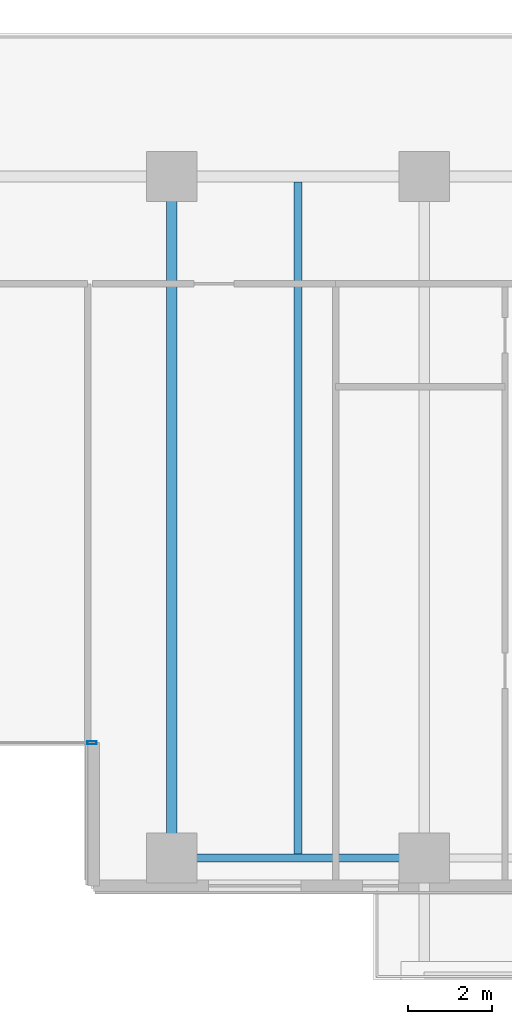
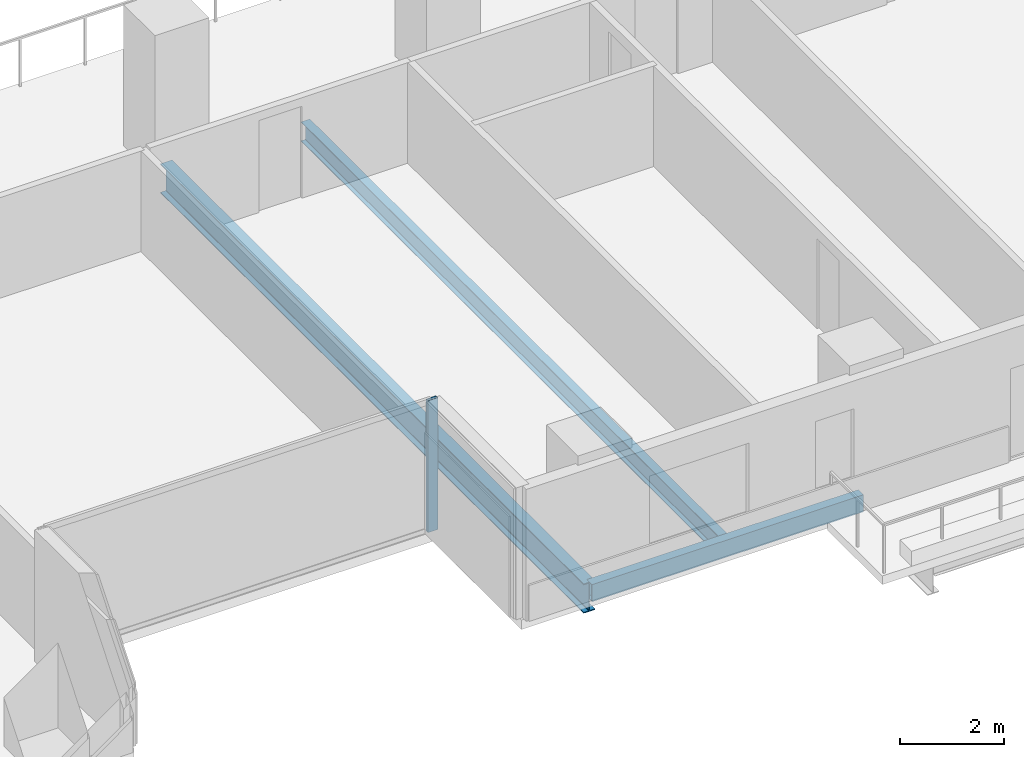
# One storey, part 4 of 26: 3 beams, 1 member, 1 element without a shape of its own.
"""IFC4 building model written with IfcOpenShell, lengths in metres."""

from ifc_helpers import new_model, si_unit, direction, frame, origin, origin_2d, place, context, subcontext, project, spatial, hollow_rectangle, i_section, extrude, material, layer, layer_set, material_profile, profile_set, type_object, element, aggregate, save


model = new_model("IFC4")

# Units and contexts
model_context = context("Model", 3, precision=1e-05, world=origin(), true_north=direction((0.0, 1.0)))
body_context = subcontext(model_context, "Body", "Model", "MODEL_VIEW")
ifc_project = project(units=[si_unit("LENGTHUNIT", "METRE"), si_unit("AREAUNIT", "SQUARE_METRE"), si_unit("VOLUMEUNIT", "CUBIC_METRE"), si_unit("PLANEANGLEUNIT", "RADIAN"), si_unit("MASSUNIT", "GRAM", prefix="KILO")], contexts=[model_context])

# Site, building, storey
site_placement = place(None, origin())
site = spatial("IfcSite", under=ifc_project, at=site_placement, CompositionType="ELEMENT")
building_placement = place(site_placement, origin())
building = spatial("IfcBuilding", under=site, at=building_placement, Name="Tanjung Sevakor Pilgrim Tower", CompositionType="ELEMENT")
storey_placement = place(building_placement, frame((0.0, 0.0, 45.5400390625)))
storey = spatial("IfcBuildingStorey", under=building, at=storey_placement, Name="L12", CompositionType="ELEMENT", Elevation=45.5400390625)

# Beams
ifc_material_1 = material(Name="Steel S355J2", Category="steel")
ifc_material_profile_1 = material_profile(ifc_material_1, i_section(OverallWidth=0.25439453125, OverallDepth=0.6875, WebThickness=0.01318359375, FlangeThickness=0.02099609375, FilletRadius=0.01513671875, at=origin_2d()))
ifc_profile_set_1 = profile_set([ifc_material_profile_1], Name="Steel S355J2")
beam_type_1 = type_object("IfcBeamType", Name="BM-B-G2-UB_686x254x152", PredefinedType="BEAM", material=ifc_profile_set_1)
beam_1_placement = place(storey_placement, frame((54.0, 8.39990234375, -0.563720703125), z_axis=(0.0, 1.0, 0.0), x_axis=(-1.0, 0.0, 0.0)))
element("IfcBeam", 1, at=beam_1_placement, inside=storey, type_object=beam_type_1, Name="L12 MAIN Girder 013", PredefinedType="BEAM", context=body_context, shape_type="SweptSolid", body=[
    extrude(i_section(OverallWidth=0.25439453125, OverallDepth=0.6875, WebThickness=0.01318359375, FlangeThickness=0.02099609375, FilletRadius=0.01513671875, at=origin_2d()), origin(), (0.0, 0.0, 1.0), 16.2001953125),
])
ifc_material_2 = material(Name="Steel S355J2", Category="steel")
ifc_material_profile_2 = material_profile(ifc_material_2, i_section(OverallWidth=0.19140625, OverallDepth=0.4599609375, WebThickness=0.010009765625, FlangeThickness=0.01611328125, FilletRadius=0.01025390625, at=origin_2d()))
ifc_profile_set_2 = profile_set([ifc_material_profile_2], Name="Steel S355J2")
beam_type_2 = type_object("IfcBeamType", Name="BM-B-J2-UB_457x191x82", PredefinedType="JOIST", material=ifc_profile_set_2)
beam_2_placement = place(storey_placement, frame((57.0, 8.5, -0.449951171875), z_axis=(0.0, 1.0, 0.0), x_axis=(-1.0, 0.0, 0.0)))
element("IfcBeam", 2, at=beam_2_placement, inside=storey, type_object=beam_type_2, Name="L12 MAIN Joist 015", PredefinedType="JOIST", context=body_context, shape_type="SweptSolid", body=[
    extrude(i_section(OverallWidth=0.19140625, OverallDepth=0.4599609375, WebThickness=0.010009765625, FlangeThickness=0.01611328125, FilletRadius=0.01025390625, at=origin_2d()), origin(), (0.0, 0.0, 1.0), 15.966064453125),
])
ifc_material_3 = material(Name="Steel S355J2", Category="steel")
ifc_material_profile_3 = material_profile(ifc_material_3, hollow_rectangle(XDim=0.199951171875, YDim=0.39990234375, WallThickness=0.01611328125, at=origin_2d()))
ifc_profile_set_3 = profile_set([ifc_material_profile_3], Name="Steel S355J2")
beam_type_3 = type_object("IfcBeamType", Name="BM-B-SP2-RHS_400x200x16", PredefinedType="SPANDREL", material=ifc_profile_set_3)
beam_3_placement = place(storey_placement, frame((54.0, 8.39990234375, -0.419921875), z_axis=(1.0, 0.0, 0.0), x_axis=(0.0, 1.0, 0.0)))
element("IfcBeam", 3, at=beam_3_placement, inside=storey, type_object=beam_type_3, Name="L12 Spandrel MAIN S-07", PredefinedType="SPANDREL", context=body_context, shape_type="SweptSolid", body=[
    extrude(hollow_rectangle(XDim=0.199951171875, YDim=0.39990234375, WallThickness=0.01611328125, at=origin_2d()), origin(), (0.0, 0.0, 1.0), 6.0),
])

# Curtain wall, member
ifc_material_4 = material(Name="Aluminium 6063-T6 and Low-E Glass", Category="aluminium")
ifc_layer = layer(ifc_material_4, 0.179931640625)
ifc_layer_set = layer_set([ifc_layer], Name="CW-SYS-CLEFT")
curtain_wall_type = type_object("IfcCurtainWallType", Name="CW-SYS-CLEFT", PredefinedType="NOTDEFINED", material=ifc_layer_set)
curtain_wall_placement = place(storey_placement, origin())
curtain_wall = element("IfcCurtainWall", 4, at=curtain_wall_placement, inside=storey, type_object=curtain_wall_type, Name="L12 Curtain Wall CW-CLF-L12-2", PredefinedType="NOTDEFINED")
ifc_material_5 = material(Name="Aluminium 6063-T6", Category="aluminium")
ifc_material_profile_4 = material_profile(ifc_material_5, hollow_rectangle(XDim=0.074951171875, YDim=0.219970703125, WallThickness=0.0048828125, at=origin_2d()))
ifc_profile_set_4 = profile_set([ifc_material_profile_4], Name="Aluminium 6063-T6")
member_type = type_object("IfcMemberType", Name="TYPE-CWM-2", PredefinedType="MULLION", material=ifc_profile_set_4)
member_placement = place(storey_placement, frame((52.1025390625, 11.139892578125, 0.0), z_axis=(0.0, 0.0, 1.0), x_axis=(0.0, 1.0, 0.0)))
member = element("IfcMember", 5, at=member_placement, type_object=member_type, Name="CW-CLF mullion 2", PredefinedType="MULLION", context=body_context, shape_type="SweptSolid", body=[
    extrude(hollow_rectangle(XDim=0.074951171875, YDim=0.219970703125, WallThickness=0.0048828125, at=origin_2d()), origin(), (0.0, 0.0, 1.0), 3.080078125),
])
aggregate(curtain_wall, [member])

save(model, "model.ifc")
